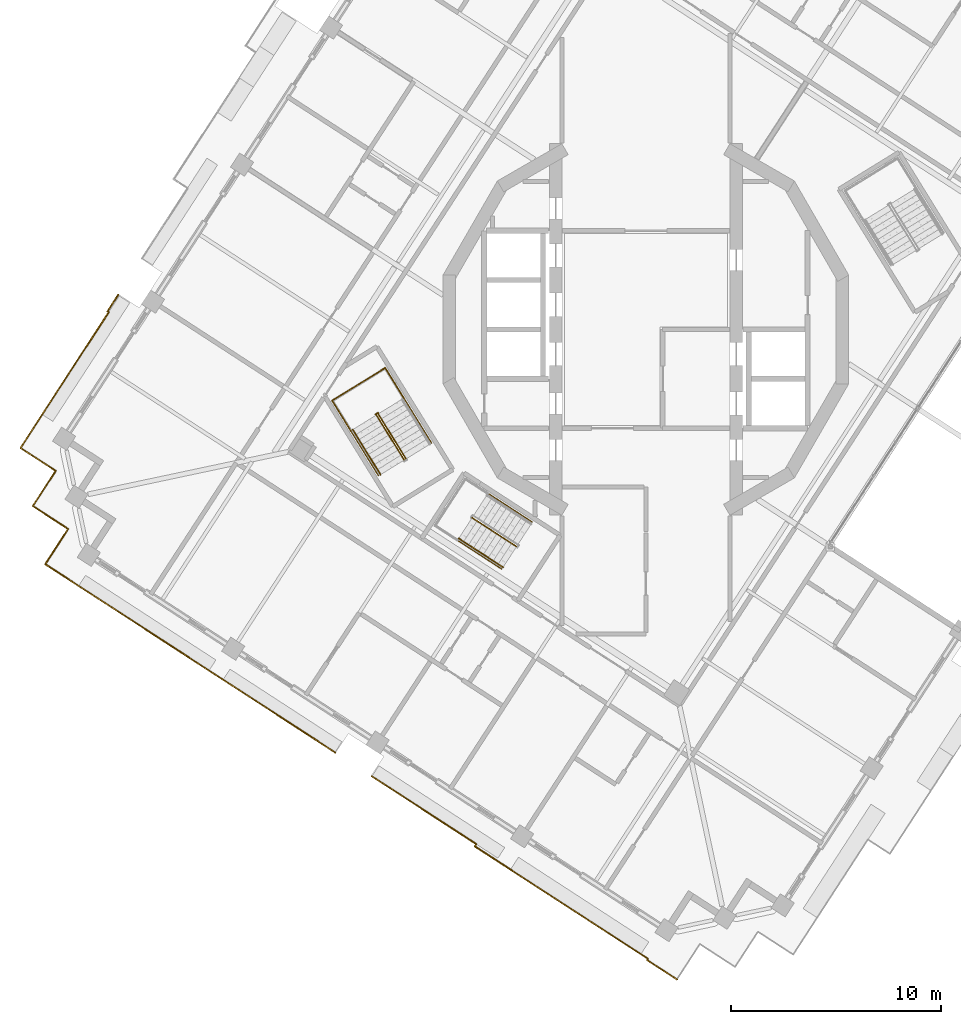
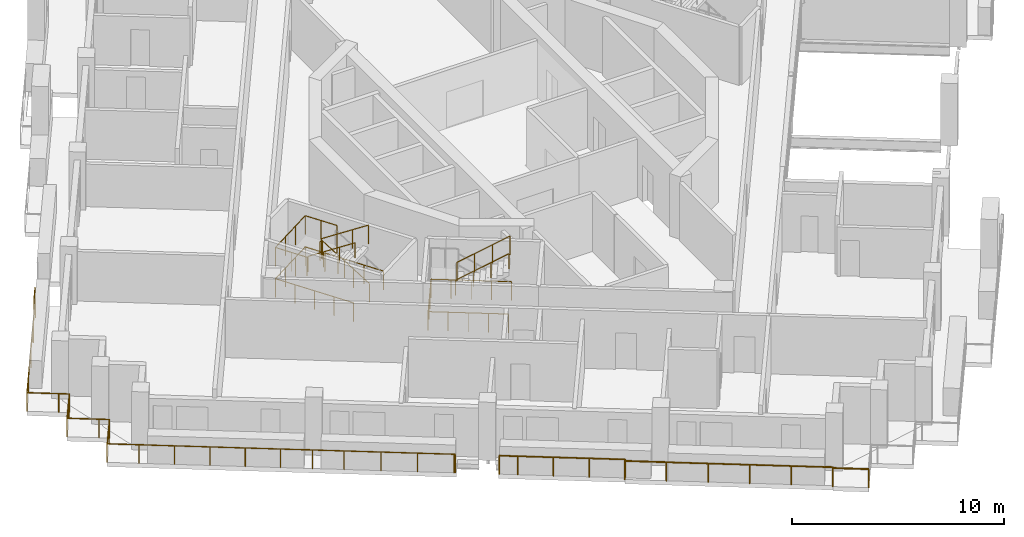
# One storey, part 13 of 17: 11 railings.
"""IFC4 building model written with IfcOpenShell, lengths in metres."""

import ifcopenshell
import ifcopenshell.guid

model = None  # the IFC model being written
_history = None  # IfcOwnerHistory: only IFC2X3 demands one
_inside = {}  # id of a spatial element -> (the spatial element, [elements in it])
_under = {}  # id of a project, library or spatial element -> (it, [spatial elements below it])
_declared = {}  # id of a project -> (the project, [libraries it declares])
_typed = {}  # id of a type object -> (the type object, [elements of that type])
_made_of = {}  # id of a material, layer set ... -> (it, [elements and type objects made of it])


def new_model(schema):
    """Start an empty IFC model of exactly this schema.

    Asked for "IFC4X3", IfcOpenShell would pick the latest addendum, in which some entities
    have other attributes; the version numbers below select the first issue.
    IFC2X3 requires an IfcOwnerHistory on every rooted entity: one is made here for all.
    """
    global model, _history
    if schema == "IFC4X3":
        model = ifcopenshell.file(schema_version=(4, 3, 0, 0))
    else:
        model = ifcopenshell.file(schema=schema)
    _inside.clear()
    _under.clear()
    _declared.clear()
    _typed.clear()
    _made_of.clear()
    _history = None
    if model.schema == "IFC2X3":
        org = make("IfcOrganization", Name="unknown")
        user = make(
            "IfcPersonAndOrganization",
            ThePerson=make("IfcPerson", FamilyName="unknown"),
            TheOrganization=org,
        )
        app = make(
            "IfcApplication",
            ApplicationDeveloper=org,
            Version="unknown",
            ApplicationFullName="unknown",
            ApplicationIdentifier="unknown",
        )
        _history = make(
            "IfcOwnerHistory",
            OwningUser=user,
            OwningApplication=app,
            ChangeAction="ADDED",
            CreationDate=0,
        )
    return model


def make(cls, **values):
    """One entity of the class cls with the attributes given. An attribute that is None is left unset."""
    return model.create_entity(
        cls, **{name: value for name, value in values.items() if value is not None}
    )


def rooted(cls, **values):
    """An entity with a GlobalId (a new one), such as an element, a storey or a relation."""
    return make(cls, GlobalId=ifcopenshell.guid.new(), OwnerHistory=_history, **values)


def si_unit(unit_type, name, prefix=None):
    """IfcSIUnit, for example si_unit("LENGTHUNIT", "METRE", prefix="MILLI")."""
    return make("IfcSIUnit", UnitType=unit_type, Prefix=prefix, Name=name)


def assignment(units):
    """IfcUnitAssignment: the units of a project."""
    return None if units is None else make("IfcUnitAssignment", Units=units)


def point(xyz):
    """IfcCartesianPoint."""
    return None if xyz is None else make("IfcCartesianPoint", Coordinates=xyz)


def direction(xyz):
    """IfcDirection."""
    return None if xyz is None else make("IfcDirection", DirectionRatios=xyz)


def frame(location, z_axis=None, x_axis=None):
    """IfcAxis2Placement3D, a coordinate frame: its origin and axes. An axis left out is left unset."""
    return make(
        "IfcAxis2Placement3D",
        Location=point(location),
        Axis=direction(z_axis),
        RefDirection=direction(x_axis),
    )


def frame_2d(location, x_axis=None):
    """IfcAxis2Placement2D, a coordinate frame in the plane: its origin and x axis."""
    return make(
        "IfcAxis2Placement2D", Location=point(location), RefDirection=direction(x_axis)
    )


def origin():
    """The frame at (0, 0, 0) with its axes left unset."""
    return frame((0.0, 0.0, 0.0))


def origin_2d():
    """The frame at (0, 0) in the plane with its x axis left unset."""
    return frame_2d((0.0, 0.0))


def place(relative_to, where):
    """IfcLocalPlacement: puts the frame where relative to a parent placement (None: the world)."""
    return make(
        "IfcLocalPlacement", PlacementRelTo=relative_to, RelativePlacement=where
    )


def context(
    kind, dimensions, precision=None, world=None, true_north=None, identifier=None
):
    """IfcGeometricRepresentationContext, for example the 3D "Model" context."""
    return make(
        "IfcGeometricRepresentationContext",
        ContextIdentifier=identifier,
        ContextType=kind,
        CoordinateSpaceDimension=dimensions,
        Precision=precision,
        WorldCoordinateSystem=world,
        TrueNorth=true_north,
    )


def subcontext(parent, identifier, kind, view, scale=None):
    """IfcGeometricRepresentationSubContext, for example "Body" below "Model"."""
    return make(
        "IfcGeometricRepresentationSubContext",
        ContextIdentifier=identifier,
        ContextType=kind,
        ParentContext=parent,
        TargetScale=scale,
        TargetView=view,
    )


def project(units=None, contexts=None):
    """IfcProject with its units and contexts."""
    return rooted(
        "IfcProject",
        Name="project",
        RepresentationContexts=contexts,
        UnitsInContext=assignment(units),
    )


def spatial(cls, under=None, at=None, **own):
    """A site, building, storey or space (cls), placed at a placement, below another one or the project."""
    s = rooted(cls, ObjectPlacement=at, **own)
    if under is not None:
        _under.setdefault(under.id(), (under, []))[1].append(s)
    return s


def profile(cls, at=None, kind="AREA", **sizes):
    """A parametric profile (cls). Its sizes go by their IFC names, for example OverallWidth=200.0."""
    return make(cls, ProfileType=kind, Position=at, **sizes)


def circle(**sizes):
    """IfcCircleProfileDef."""
    return profile("IfcCircleProfileDef", **sizes)


def extrude(swept, where, along, depth):
    """IfcExtrudedAreaSolid: the profile swept, set in the frame where, extruded along a direction by depth."""
    return make(
        "IfcExtrudedAreaSolid",
        SweptArea=swept,
        Position=where,
        ExtrudedDirection=direction(along),
        Depth=depth,
    )


def shape(context_of_items, identifier, shape_type, items):
    """IfcShapeRepresentation: the items that make up one representation, for example the "Body"."""
    return make(
        "IfcShapeRepresentation",
        ContextOfItems=context_of_items,
        RepresentationIdentifier=identifier,
        RepresentationType=shape_type,
        Items=items,
    )


def material(Name=None, Category=None):
    """IfcMaterial."""
    return make("IfcMaterial", Name=Name, Category=Category)


def made_of(thing, what):
    """Note that an element or type object is made of a material, layer set ...; save() writes the relation."""
    if what is not None:
        _made_of.setdefault(what.id(), (what, []))[1].append(thing)
    return thing


def type_object(cls, material=None, **own):
    """A type object (cls), such as IfcWallType, which elements share."""
    return made_of(rooted(cls, **own), material)


def element(
    cls,
    number,
    at=None,
    inside=None,
    cuts=None,
    type_object=None,
    material=None,
    context=None,
    identifier="Body",
    shape_type=None,
    held_by="IfcProductDefinitionShape",
    body=None,
    shapes=None,
    **own,
):
    """One element of the class cls, such as IfcWall. Its Tag is "e" and its number.

    at: its placement. inside: the storey or other place that contains it. cuts: it is an
    opening in that element (IfcRelVoidsElement). A single representation is given by context,
    identifier, shape_type and body (its items); several are given by shapes. held_by: the class
    of the entity that holds the representations. save() writes the other relations.
    """
    e = rooted(cls, Tag="e%d" % number, ObjectPlacement=at, **own)
    if body is not None:
        shapes = [shape(context, identifier, shape_type, body)]
    if shapes is not None:
        e.Representation = make(held_by, Representations=shapes)
    if inside is not None:
        _inside.setdefault(inside.id(), (inside, []))[1].append(e)
    if cuts is not None:
        rooted(
            "IfcRelVoidsElement", RelatingBuildingElement=cuts, RelatedOpeningElement=e
        )
    if type_object is not None:
        _typed.setdefault(type_object.id(), (type_object, []))[1].append(e)
    return made_of(e, material)


def aggregate(whole, parts):
    """IfcRelAggregates: a whole, such as a stair, and the parts it consists of."""
    return rooted("IfcRelAggregates", RelatingObject=whole, RelatedObjects=parts)


def save(model, path):
    """Write the relations noted so far, then the file.

    IfcRelAggregates (storeys below a building ...), IfcRelContainedInSpatialStructure (elements
    in a storey), IfcRelDefinesByType, IfcRelAssociatesMaterial and IfcRelDeclares: one each for
    every whole, place, type object, material and project.
    """
    for whole, parts in _under.values():
        aggregate(whole, parts)
    for where, things in _inside.values():
        rooted(
            "IfcRelContainedInSpatialStructure",
            RelatedElements=things,
            RelatingStructure=where,
        )
    for kind, things in _typed.values():
        rooted("IfcRelDefinesByType", RelatedObjects=things, RelatingType=kind)
    for what, things in _made_of.values():
        rooted("IfcRelAssociatesMaterial", RelatedObjects=things, RelatingMaterial=what)
    for by, libraries in _declared.values():
        rooted("IfcRelDeclares", RelatingContext=by, RelatedDefinitions=libraries)
    model.write(path)


model = new_model("IFC4")

# Units and contexts
model_context = context("Model", 3, precision=1e-05, world=origin(), true_north=direction((0.0, 1.0)))
body_context = subcontext(model_context, "Body", "Model", "MODEL_VIEW")
ifc_project = project(units=[si_unit("LENGTHUNIT", "METRE"), si_unit("AREAUNIT", "SQUARE_METRE"), si_unit("VOLUMEUNIT", "CUBIC_METRE"), si_unit("PLANEANGLEUNIT", "RADIAN"), si_unit("MASSUNIT", "GRAM", prefix="KILO")], contexts=[model_context])

# Site, building, storey
site_placement = place(None, origin())
site = spatial("IfcSite", under=ifc_project, at=site_placement, CompositionType="ELEMENT")
building_placement = place(site_placement, origin())
building = spatial("IfcBuilding", under=site, at=building_placement, Name="Cantera Rosa Tower", CompositionType="ELEMENT")
storey_placement = place(building_placement, frame((0.0, 0.0, 264.89990234375)))
storey = spatial("IfcBuildingStorey", under=building, at=storey_placement, Name="L59", CompositionType="ELEMENT", Elevation=264.89990234375)

# Railings
ifc_material_1 = material(Name="Stainless steel and laminated glass", Category="steel")
railing_type_1 = type_object("IfcRailingType", Name="GUARD 1100", PredefinedType="BALUSTRADE", material=ifc_material_1)
railing_1_placement = place(storey_placement, frame((-28.3720703125, -7.151123046875, 0.0)))
element("IfcRailing", 1, at=railing_1_placement, inside=storey, type_object=railing_type_1, Name="GUARD L59-1", PredefinedType="BALUSTRADE", context=body_context, shape_type="SweptSolid", body=[
    extrude(circle(Radius=0.030029296875, at=origin_2d()), frame((0.0, 0.0, 1.070068359375), z_axis=(0.544627753175, 0.83867789435, 0.0), x_axis=(-0.83867789435, 0.544627753175, 0.0)), (0.0, 0.0, 1.0), 0.499755859375),
    extrude(circle(Radius=0.030029296875, at=origin_2d()), frame((0.272216796875, 0.419189453125, 1.070068359375), z_axis=(-0.838454772945, 0.544971186143, 0.0), x_axis=(-0.544971186143, -0.838454772945, 0.0)), (0.0, 0.0, 1.0), 0.5),
    extrude(circle(Radius=0.030029296875, at=origin_2d()), frame((-0.14697265625, 0.691650390625, 1.070068359375), z_axis=(-0.8387001057, 0.544593548161, 0.0), x_axis=(-0.544593548161, -0.8387001057, 0.0)), (0.0, 0.0, 1.0), 1.5),
    extrude(circle(Radius=0.030029296875, at=origin_2d()), frame((-1.405029296875, 1.508544921875, 1.070068359375), z_axis=(0.544593548161, 0.8387001057, 0.0), x_axis=(-0.8387001057, 0.544593548161, 0.0)), (0.0, 0.0, 1.0), 1.5),
    extrude(circle(Radius=0.030029296875, at=origin_2d()), frame((-0.588134765625, 2.7666015625, 1.070068359375), z_axis=(0.544651062083, 0.838662757354, 0.0), x_axis=(-0.838662757354, 0.544651062083, 0.0)), (0.0, 0.0, 1.0), 6.208740234375),
    extrude(circle(Radius=0.030029296875, at=origin_2d()), frame((2.79345703125, 7.9736328125, 1.070068359375), z_axis=(-0.839844835389, 0.542826539947, 0.0), x_axis=(-0.542826539947, -0.839844835389, 0.0)), (0.0, 0.0, 1.0), 0.071533203125),
    extrude(circle(Radius=0.030029296875, at=origin_2d()), frame((2.7333984375, 8.012451171875, 1.070068359375), z_axis=(0.544605442853, 0.838692381994, 0.0), x_axis=(-0.838692381994, 0.544605442853, 0.0)), (0.0, 0.0, 1.0), 0.94140625),
    extrude(circle(Radius=0.02490234375, at=origin_2d()), origin(), (0.0, 0.0, 1.0), 1.0400390625),
    extrude(circle(Radius=0.02490234375, at=origin_2d()), frame((0.272216796875, 0.419189453125, 0.0)), (0.0, 0.0, 1.0), 1.0400390625),
    extrude(circle(Radius=0.02490234375, at=origin_2d()), frame((-0.14697265625, 0.691650390625, 0.0)), (0.0, 0.0, 1.0), 1.0400390625),
    extrude(circle(Radius=0.02490234375, at=origin_2d()), frame((-1.405029296875, 1.508544921875, 0.0)), (0.0, 0.0, 1.0), 1.0400390625),
    extrude(circle(Radius=0.02490234375, at=origin_2d()), frame((-0.588134765625, 2.7666015625, 0.0)), (0.0, 0.0, 1.0), 1.0400390625),
    extrude(circle(Radius=0.02490234375, at=origin_2d()), frame((0.5390625, 4.502197265625, 0.0)), (0.0, 0.0, 1.0), 1.0400390625),
    extrude(circle(Radius=0.02490234375, at=origin_2d()), frame((1.666259765625, 6.238037109375, 0.0)), (0.0, 0.0, 1.0), 1.0400390625),
    extrude(circle(Radius=0.02490234375, at=origin_2d()), frame((2.79345703125, 7.9736328125, 0.0)), (0.0, 0.0, 1.0), 1.0400390625),
    extrude(circle(Radius=0.02490234375, at=origin_2d()), frame((2.7333984375, 8.012451171875, 0.0)), (0.0, 0.0, 1.0), 1.0400390625),
    extrude(circle(Radius=0.02490234375, at=origin_2d()), frame((3.24609375, 8.802001953125, 0.0)), (0.0, 0.0, 1.0), 1.0400390625),
])
railing_2_placement = place(storey_placement, frame((-14.7880859375, -20.14599609375, 0.0)))
element("IfcRailing", 2, at=railing_2_placement, inside=storey, type_object=railing_type_1, Name="GUARD L59-2", PredefinedType="BALUSTRADE", context=body_context, shape_type="SweptSolid", body=[
    extrude(circle(Radius=0.030029296875, at=origin_2d()), frame((0.0, 0.0, 1.070068359375), z_axis=(-0.838443616301, 0.544988350595, 0.0), x_axis=(-0.544988350595, -0.838443616301, 0.0)), (0.0, 0.0, 1.0), 0.06982421875),
    extrude(circle(Radius=0.030029296875, at=origin_2d()), frame((-0.05859375, 0.0380859375, 1.070068359375), z_axis=(-0.838657010828, 0.544659910576, 0.0), x_axis=(-0.544659910576, -0.838657010828, 0.0)), (0.0, 0.0, 1.0), 5.2001953125),
    extrude(circle(Radius=0.030029296875, at=origin_2d()), frame((-4.419677734375, 2.870361328125, 1.070068359375), z_axis=(-0.8387001057, 0.544593548161, 0.0), x_axis=(-0.544593548161, -0.8387001057, 0.0)), (0.0, 0.0, 1.0), 3.0),
    extrude(circle(Radius=0.030029296875, at=origin_2d()), frame((-6.935791015625, 4.504150390625, 1.070068359375), z_axis=(-0.838666659313, 0.544645053734, 0.0), x_axis=(-0.544645053734, -0.838666659313, 0.0)), (0.0, 0.0, 1.0), 6.7001953125),
    extrude(circle(Radius=0.030029296875, at=origin_2d()), frame((-12.554931640625, 8.1533203125, 1.070068359375), z_axis=(-0.838651824232, 0.544667896716, 0.0), x_axis=(-0.544667896716, -0.838651824232, 0.0)), (0.0, 0.0, 1.0), 1.499755859375),
    extrude(circle(Radius=0.030029296875, at=origin_2d()), frame((-13.812744140625, 8.97021484375, 1.070068359375), z_axis=(0.544593548161, 0.8387001057, 0.0), x_axis=(-0.8387001057, 0.544593548161, 0.0)), (0.0, 0.0, 1.0), 1.5),
    extrude(circle(Radius=0.030029296875, at=origin_2d()), frame((-12.995849609375, 10.228271484375, 1.070068359375), z_axis=(0.544627753175, 0.83867789435, 0.0), x_axis=(-0.83867789435, 0.544627753175, 0.0)), (0.0, 0.0, 1.0), 0.499755859375),
    extrude(circle(Radius=0.030029296875, at=origin_2d()), frame((-12.7236328125, 10.6474609375, 1.070068359375), z_axis=(-0.838454772945, 0.544971186143, 0.0), x_axis=(-0.544971186143, -0.838454772945, 0.0)), (0.0, 0.0, 1.0), 0.5),
    extrude(circle(Radius=0.030029296875, at=origin_2d()), frame((-13.142822265625, 10.919921875, 1.070068359375), z_axis=(-0.8387001057, 0.544593548161, 0.0), x_axis=(-0.544593548161, -0.8387001057, 0.0)), (0.0, 0.0, 1.0), 1.5),
    extrude(circle(Radius=0.030029296875, at=origin_2d()), frame((-14.40087890625, 11.73681640625, 1.070068359375), z_axis=(0.544593548161, 0.8387001057, 0.0), x_axis=(-0.8387001057, 0.544593548161, 0.0)), (0.0, 0.0, 1.0), 1.5),
    extrude(circle(Radius=0.02490234375, at=origin_2d()), origin(), (0.0, 0.0, 1.0), 1.0400390625),
    extrude(circle(Radius=0.02490234375, at=origin_2d()), frame((-0.05859375, 0.0380859375, 0.0)), (0.0, 0.0, 1.0), 1.0400390625),
    extrude(circle(Radius=0.02490234375, at=origin_2d()), frame((-1.51220703125, 0.982177734375, 0.0)), (0.0, 0.0, 1.0), 1.0400390625),
    extrude(circle(Radius=0.02490234375, at=origin_2d()), frame((-2.966064453125, 1.92626953125, 0.0)), (0.0, 0.0, 1.0), 1.0400390625),
    extrude(circle(Radius=0.02490234375, at=origin_2d()), frame((-4.419677734375, 2.870361328125, 0.0)), (0.0, 0.0, 1.0), 1.0400390625),
    extrude(circle(Radius=0.02490234375, at=origin_2d()), frame((-5.677734375, 3.687255859375, 0.0)), (0.0, 0.0, 1.0), 1.0400390625),
    extrude(circle(Radius=0.02490234375, at=origin_2d()), frame((-6.935791015625, 4.504150390625, 0.0)), (0.0, 0.0, 1.0), 1.0400390625),
    extrude(circle(Radius=0.02490234375, at=origin_2d()), frame((-8.340576171875, 5.41650390625, 0.0)), (0.0, 0.0, 1.0), 1.0400390625),
    extrude(circle(Radius=0.02490234375, at=origin_2d()), frame((-9.745361328125, 6.32861328125, 0.0)), (0.0, 0.0, 1.0), 1.0400390625),
    extrude(circle(Radius=0.02490234375, at=origin_2d()), frame((-11.150146484375, 7.240966796875, 0.0)), (0.0, 0.0, 1.0), 1.0400390625),
    extrude(circle(Radius=0.02490234375, at=origin_2d()), frame((-12.554931640625, 8.1533203125, 0.0)), (0.0, 0.0, 1.0), 1.0400390625),
    extrude(circle(Radius=0.02490234375, at=origin_2d()), frame((-13.812744140625, 8.97021484375, 0.0)), (0.0, 0.0, 1.0), 1.0400390625),
    extrude(circle(Radius=0.02490234375, at=origin_2d()), frame((-12.995849609375, 10.228271484375, 0.0)), (0.0, 0.0, 1.0), 1.0400390625),
    extrude(circle(Radius=0.02490234375, at=origin_2d()), frame((-12.7236328125, 10.6474609375, 0.0)), (0.0, 0.0, 1.0), 1.0400390625),
    extrude(circle(Radius=0.02490234375, at=origin_2d()), frame((-13.142822265625, 10.919921875, 0.0)), (0.0, 0.0, 1.0), 1.0400390625),
    extrude(circle(Radius=0.02490234375, at=origin_2d()), frame((-14.40087890625, 11.73681640625, 0.0)), (0.0, 0.0, 1.0), 1.0400390625),
    extrude(circle(Radius=0.02490234375, at=origin_2d()), frame((-13.583984375, 12.994873046875, 0.0)), (0.0, 0.0, 1.0), 1.0400390625),
])
railing_3_placement = place(storey_placement, frame((1.482177734375, -30.950439453125, 0.0)))
element("IfcRailing", 3, at=railing_3_placement, inside=storey, type_object=railing_type_1, Name="GUARD L59-5", PredefinedType="BALUSTRADE", context=body_context, shape_type="SweptSolid", body=[
    extrude(circle(Radius=0.030029296875, at=origin_2d()), frame((0.0, 0.0, 1.070068359375), z_axis=(-0.838663412569, 0.54465005317, 0.0), x_axis=(-0.54465005317, -0.838663412569, 0.0)), (0.0, 0.0, 1.0), 1.69970703125),
    extrude(circle(Radius=0.030029296875, at=origin_2d()), frame((-1.425537109375, 0.92578125, 1.070068359375), z_axis=(0.54339569987, 0.839476690184, 0.0), x_axis=(-0.839476690184, 0.54339569987, 0.0)), (0.0, 0.0, 1.0), 0.070068359375),
    extrude(circle(Radius=0.030029296875, at=origin_2d()), frame((-1.387451171875, 0.984619140625, 1.070068359375), z_axis=(-0.838672787013, 0.544635617935, 0.0), x_axis=(-0.544635617935, -0.838672787013, 0.0)), (0.0, 0.0, 1.0), 9.830078125),
    extrude(circle(Radius=0.030029296875, at=origin_2d()), frame((-9.631591796875, 6.33837890625, 1.070068359375), z_axis=(0.545120486239, 0.83835771332, 0.0), x_axis=(-0.83835771332, 0.545120486239, 0.0)), (0.0, 0.0, 1.0), 0.1298828125),
    extrude(circle(Radius=0.030029296875, at=origin_2d()), frame((-9.560791015625, 6.447265625, 1.070068359375), z_axis=(-0.838664674471, 0.544648110062, 0.0), x_axis=(-0.544648110062, -0.838664674471, 0.0)), (0.0, 0.0, 1.0), 5.0703125),
    extrude(circle(Radius=0.030029296875, at=origin_2d()), frame((-13.81298828125, 9.208740234375, 1.070068359375), z_axis=(-0.838725681888, 0.544554157584, 0.0), x_axis=(-0.544554157584, -0.838725681888, 0.0)), (0.0, 0.0, 1.0), 0.869873046875),
    extrude(circle(Radius=0.02490234375, at=origin_2d()), origin(), (0.0, 0.0, 1.0), 1.0400390625),
    extrude(circle(Radius=0.02490234375, at=origin_2d()), frame((-1.425537109375, 0.92578125, 0.0)), (0.0, 0.0, 1.0), 1.0400390625),
    extrude(circle(Radius=0.02490234375, at=origin_2d()), frame((-1.387451171875, 0.984619140625, 0.0)), (0.0, 0.0, 1.0), 1.0400390625),
    extrude(circle(Radius=0.02490234375, at=origin_2d()), frame((-3.036376953125, 2.055419921875, 0.0)), (0.0, 0.0, 1.0), 1.0400390625),
    extrude(circle(Radius=0.02490234375, at=origin_2d()), frame((-4.68505859375, 3.126220703125, 0.0)), (0.0, 0.0, 1.0), 1.0400390625),
    extrude(circle(Radius=0.02490234375, at=origin_2d()), frame((-6.333984375, 4.19677734375, 0.0)), (0.0, 0.0, 1.0), 1.0400390625),
    extrude(circle(Radius=0.02490234375, at=origin_2d()), frame((-7.982666015625, 5.267578125, 0.0)), (0.0, 0.0, 1.0), 1.0400390625),
    extrude(circle(Radius=0.02490234375, at=origin_2d()), frame((-9.631591796875, 6.33837890625, 0.0)), (0.0, 0.0, 1.0), 1.0400390625),
    extrude(circle(Radius=0.02490234375, at=origin_2d()), frame((-9.560791015625, 6.447265625, 0.0)), (0.0, 0.0, 1.0), 1.0400390625),
    extrude(circle(Radius=0.02490234375, at=origin_2d()), frame((-10.978271484375, 7.36767578125, 0.0)), (0.0, 0.0, 1.0), 1.0400390625),
    extrude(circle(Radius=0.02490234375, at=origin_2d()), frame((-12.3955078125, 8.288330078125, 0.0)), (0.0, 0.0, 1.0), 1.0400390625),
    extrude(circle(Radius=0.02490234375, at=origin_2d()), frame((-13.81298828125, 9.208740234375, 0.0)), (0.0, 0.0, 1.0), 1.0400390625),
    extrude(circle(Radius=0.02490234375, at=origin_2d()), frame((-14.54248046875, 9.682373046875, 0.0)), (0.0, 0.0, 1.0), 1.0400390625),
])
ifc_material_2 = material(Name="Steel S355J2 (EN 10025-2)", Category="steel")
railing_type_2 = type_object("IfcRailingType", Name="STAIR GUARD 1100", PredefinedType="GUARDRAIL", material=ifc_material_2)
railing_4_placement = place(storey_placement, frame((-11.42333984375, -6.165771484375, 0.18017578125)))
element("IfcRailing", 4, at=railing_4_placement, inside=storey, type_object=railing_type_2, Name="L59 ST-52 stair guard 1", PredefinedType="GUARDRAIL", context=body_context, shape_type="SweptSolid", body=[
    extrude(circle(Radius=0.02392578125, at=origin_2d()), frame((0.0, 0.0, 1.076171875), z_axis=(-0.441628529057, 0.715945124149, 0.540728047664), x_axis=(-0.851102330005, -0.524999832248, 0.0)), (0.0, 0.0, 1.0), 2.99560546875),
    extrude(circle(Radius=0.02392578125, at=origin_2d()), frame((-1.322998046875, 2.144775390625, 2.69580078125), z_axis=(-0.073711968402, 0.997279572494, 0.0), x_axis=(-0.997279572494, -0.073711968402, 0.0)), (0.0, 0.0, 1.0), 0.056396484375),
    extrude(circle(Radius=0.02392578125, at=origin_2d()), frame((-1.3271484375, 2.200927734375, 2.69580078125), z_axis=(-0.851546489876, -0.524279100842, 0.0), x_axis=(0.524279100842, -0.851546489876, 0.0)), (0.0, 0.0, 1.0), 0.14990234375),
    extrude(circle(Radius=0.02099609375, at=origin_2d()), origin(), (0.0, 0.0, 1.0), 1.052001953125),
    extrude(circle(Radius=0.02099609375, at=origin_2d()), frame((-0.44091796875, 0.71484375, 0.5400390625)), (0.0, 0.0, 1.0), 1.052001953125),
    extrude(circle(Radius=0.02099609375, at=origin_2d()), frame((-0.882080078125, 1.429931640625, 1.079833984375)), (0.0, 0.0, 1.0), 1.052001953125),
    extrude(circle(Radius=0.02099609375, at=origin_2d()), frame((-1.322998046875, 2.144775390625, 1.619873046875)), (0.0, 0.0, 1.0), 1.052001953125),
    extrude(circle(Radius=0.02099609375, at=origin_2d()), frame((-1.3271484375, 2.200927734375, 1.619873046875)), (0.0, 0.0, 1.0), 1.052001953125),
    extrude(circle(Radius=0.02099609375, at=origin_2d()), frame((-1.454833984375, 2.122314453125, 1.619873046875)), (0.0, 0.0, 1.0), 1.052001953125),
])
railing_5_placement = place(storey_placement, frame((-12.82958984375, -4.072509765625, 1.97998046875)))
element("IfcRailing", 5, at=railing_5_placement, inside=storey, type_object=railing_type_2, Name="L59 ST-52 stair guard 2", PredefinedType="GUARDRAIL", context=body_context, shape_type="SweptSolid", body=[
    extrude(circle(Radius=0.02392578125, at=origin_2d()), frame((0.0, 0.0, 1.076171875), z_axis=(0.44154346381, -0.715939337315, 0.540805172729), x_axis=(0.851145618652, 0.524929648476, 0.0)), (0.0, 0.0, 1.0), 2.995849609375),
    extrude(circle(Radius=0.02099609375, at=origin_2d()), origin(), (0.0, 0.0, 1.0), 1.052001953125),
    extrude(circle(Radius=0.02099609375, at=origin_2d()), frame((0.44091796875, -0.71484375, 0.5400390625)), (0.0, 0.0, 1.0), 1.052001953125),
    extrude(circle(Radius=0.02099609375, at=origin_2d()), frame((0.8818359375, -1.429931640625, 1.080078125)), (0.0, 0.0, 1.0), 1.052001953125),
    extrude(circle(Radius=0.02099609375, at=origin_2d()), frame((1.32275390625, -2.144775390625, 1.6201171875)), (0.0, 0.0, 1.0), 1.052001953125),
])
railing_6_placement = place(storey_placement, frame((-10.20751953125, -5.40185546875, 0.0)))
element("IfcRailing", 6, at=railing_6_placement, inside=storey, type_object=railing_type_2, Name="L59 ST-52 stair guard 4", PredefinedType="GUARDRAIL", context=body_context, shape_type="SweptSolid", body=[
    extrude(circle(Radius=0.02392578125, at=origin_2d()), frame((0.0, 0.0, 1.076171875), z_axis=(-0.524976478809, 0.851116735059, 0.0), x_axis=(-0.851116735059, -0.524976478809, 0.0)), (0.0, 0.0, 1.0), 4.197998046875),
    extrude(circle(Radius=0.02392578125, at=origin_2d()), frame((-2.203857421875, 3.572998046875, 1.076171875), z_axis=(-0.851132917336, -0.524950242429, 0.0), x_axis=(0.524950242429, -0.851132917336, 0.0)), (0.0, 0.0, 1.0), 2.969970703125),
    extrude(circle(Radius=0.02392578125, at=origin_2d()), frame((-4.731689453125, 2.013916015625, 1.076171875), z_axis=(0.524976478809, -0.851116735059, 0.0), x_axis=(0.851116735059, 0.524976478809, 0.0)), (0.0, 0.0, 1.0), 4.197998046875),
    extrude(circle(Radius=0.02099609375, at=origin_2d()), origin(), (0.0, 0.0, 1.0), 1.052001953125),
    extrude(circle(Radius=0.02099609375, at=origin_2d()), frame((-0.551025390625, 0.893310546875, 0.0)), (0.0, 0.0, 1.0), 1.052001953125),
    extrude(circle(Radius=0.02099609375, at=origin_2d()), frame((-1.10205078125, 1.78662109375, 0.0)), (0.0, 0.0, 1.0), 1.052001953125),
    extrude(circle(Radius=0.02099609375, at=origin_2d()), frame((-1.65283203125, 2.6796875, 0.0)), (0.0, 0.0, 1.0), 1.052001953125),
    extrude(circle(Radius=0.02099609375, at=origin_2d()), frame((-2.203857421875, 3.572998046875, 0.0)), (0.0, 0.0, 1.0), 1.052001953125),
    extrude(circle(Radius=0.02099609375, at=origin_2d()), frame((-3.04638671875, 3.05322265625, 0.0)), (0.0, 0.0, 1.0), 1.052001953125),
    extrude(circle(Radius=0.02099609375, at=origin_2d()), frame((-3.88916015625, 2.53369140625, 0.0)), (0.0, 0.0, 1.0), 1.052001953125),
    extrude(circle(Radius=0.02099609375, at=origin_2d()), frame((-4.731689453125, 2.013916015625, 0.0)), (0.0, 0.0, 1.0), 1.052001953125),
    extrude(circle(Radius=0.02099609375, at=origin_2d()), frame((-4.1806640625, 1.12060546875, 0.0)), (0.0, 0.0, 1.0), 1.052001953125),
    extrude(circle(Radius=0.02099609375, at=origin_2d()), frame((-3.6298828125, 0.2275390625, 0.0)), (0.0, 0.0, 1.0), 1.052001953125),
    extrude(circle(Radius=0.02099609375, at=origin_2d()), frame((-3.078857421875, -0.665771484375, 0.0)), (0.0, 0.0, 1.0), 1.052001953125),
    extrude(circle(Radius=0.02099609375, at=origin_2d()), frame((-2.52783203125, -1.55908203125, 0.0)), (0.0, 0.0, 1.0), 1.052001953125),
])
railing_7_placement = place(storey_placement, frame((-11.517822265625, -3.27734375, 1.800048828125)))
element("IfcRailing", 7, at=railing_7_placement, inside=storey, type_object=railing_type_2, Name="L59 ST-52 stair guard 5", PredefinedType="GUARDRAIL", context=body_context, shape_type="SweptSolid", body=[
    extrude(circle(Radius=0.02392578125, at=origin_2d()), frame((0.0, 0.0, 1.076171875), z_axis=(-0.525025534833, 0.851086474909, 0.0), x_axis=(-0.851086474909, -0.525025534833, 0.0)), (0.0, 0.0, 1.0), 1.701904296875),
    extrude(circle(Radius=0.02392578125, at=origin_2d()), frame((-0.8935546875, 1.448486328125, 1.076171875), z_axis=(-0.851132917336, -0.524950242429, 0.0), x_axis=(0.524950242429, -0.851132917336, 0.0)), (0.0, 0.0, 1.0), 2.969970703125),
    extrude(circle(Radius=0.02392578125, at=origin_2d()), frame((-3.42138671875, -0.110595703125, 1.076171875), z_axis=(0.524961441845, -0.851126009811, 0.0), x_axis=(0.851126009811, 0.524961441845, 0.0)), (0.0, 0.0, 1.0), 1.7021484375),
    extrude(circle(Radius=0.02099609375, at=origin_2d()), origin(), (0.0, 0.0, 1.0), 1.052001953125),
    extrude(circle(Radius=0.02099609375, at=origin_2d()), frame((-0.44677734375, 0.72412109375, 0.0)), (0.0, 0.0, 1.0), 1.052001953125),
    extrude(circle(Radius=0.02099609375, at=origin_2d()), frame((-0.8935546875, 1.448486328125, 0.0)), (0.0, 0.0, 1.0), 1.052001953125),
    extrude(circle(Radius=0.02099609375, at=origin_2d()), frame((-1.736083984375, 0.9287109375, 0.0)), (0.0, 0.0, 1.0), 1.052001953125),
    extrude(circle(Radius=0.02099609375, at=origin_2d()), frame((-2.578857421875, 0.4091796875, 0.0)), (0.0, 0.0, 1.0), 1.052001953125),
    extrude(circle(Radius=0.02099609375, at=origin_2d()), frame((-3.42138671875, -0.110595703125, 0.0)), (0.0, 0.0, 1.0), 1.052001953125),
    extrude(circle(Radius=0.02099609375, at=origin_2d()), frame((-2.974609375, -0.8349609375, 0.0)), (0.0, 0.0, 1.0), 1.052001953125),
    extrude(circle(Radius=0.02099609375, at=origin_2d()), frame((-2.52783203125, -1.559326171875, 0.0)), (0.0, 0.0, 1.0), 1.052001953125),
])
railing_8_placement = place(storey_placement, frame((-8.270751953125, -8.963134765625, 1.97998046875)))
element("IfcRailing", 8, at=railing_8_placement, inside=storey, type_object=railing_type_2, Name="L59 ST-53 stair guard 2", PredefinedType="GUARDRAIL", context=body_context, shape_type="SweptSolid", body=[
    extrude(circle(Radius=0.02392578125, at=origin_2d()), frame((0.0, 0.0, 1.076171875), z_axis=(0.705447416084, -0.4581007308, 0.540821286175), x_axis=(0.54462048956, 0.838682611213, 0.0)), (0.0, 0.0, 1.0), 2.99560546875),
    extrude(circle(Radius=0.02099609375, at=origin_2d()), origin(), (0.0, 0.0, 1.0), 1.052001953125),
    extrude(circle(Radius=0.02099609375, at=origin_2d()), frame((0.704345703125, -0.45751953125, 0.5400390625)), (0.0, 0.0, 1.0), 1.052001953125),
    extrude(circle(Radius=0.02099609375, at=origin_2d()), frame((1.408935546875, -0.914794921875, 1.080078125)), (0.0, 0.0, 1.0), 1.052001953125),
    extrude(circle(Radius=0.02099609375, at=origin_2d()), frame((2.11328125, -1.372314453125, 1.6201171875)), (0.0, 0.0, 1.0), 1.052001953125),
])
railing_9_placement = place(storey_placement, frame((-5.41357421875, -9.168212890625, 0.0)))
element("IfcRailing", 9, at=railing_9_placement, inside=storey, type_object=railing_type_2, Name="L59 ST-53 stair guard 4", PredefinedType="GUARDRAIL", context=body_context, shape_type="SweptSolid", body=[
    extrude(circle(Radius=0.02392578125, at=origin_2d()), frame((0.0, 0.0, 1.076171875), z_axis=(-0.838665308336, 0.544647134018, 0.0), x_axis=(-0.544647134018, -0.838665308336, 0.0)), (0.0, 0.0, 1.0), 3.798095703125),
    extrude(circle(Radius=0.02392578125, at=origin_2d()), frame((-3.185302734375, 2.068603515625, 1.076171875), z_axis=(-0.544679779991, -0.838644106442, 0.0), x_axis=(0.838644106442, -0.544679779991, 0.0)), (0.0, 0.0, 1.0), 2.670166015625),
    extrude(circle(Radius=0.02392578125, at=origin_2d()), frame((-4.6396484375, -0.170654296875, 1.076171875), z_axis=(0.838665308336, -0.544647134018, 0.0), x_axis=(0.544647134018, 0.838665308336, 0.0)), (0.0, 0.0, 1.0), 3.798095703125),
    extrude(circle(Radius=0.02099609375, at=origin_2d()), origin(), (0.0, 0.0, 1.0), 1.052001953125),
    extrude(circle(Radius=0.02099609375, at=origin_2d()), frame((-0.79638671875, 0.51708984375, 0.0)), (0.0, 0.0, 1.0), 1.052001953125),
    extrude(circle(Radius=0.02099609375, at=origin_2d()), frame((-1.5927734375, 1.0341796875, 0.0)), (0.0, 0.0, 1.0), 1.052001953125),
    extrude(circle(Radius=0.02099609375, at=origin_2d()), frame((-2.388916015625, 1.551513671875, 0.0)), (0.0, 0.0, 1.0), 1.052001953125),
    extrude(circle(Radius=0.02099609375, at=origin_2d()), frame((-3.185302734375, 2.068603515625, 0.0)), (0.0, 0.0, 1.0), 1.052001953125),
    extrude(circle(Radius=0.02099609375, at=origin_2d()), frame((-3.670166015625, 1.322265625, 0.0)), (0.0, 0.0, 1.0), 1.052001953125),
    extrude(circle(Radius=0.02099609375, at=origin_2d()), frame((-4.15478515625, 0.57568359375, 0.0)), (0.0, 0.0, 1.0), 1.052001953125),
    extrude(circle(Radius=0.02099609375, at=origin_2d()), frame((-4.6396484375, -0.170654296875, 0.0)), (0.0, 0.0, 1.0), 1.052001953125),
    extrude(circle(Radius=0.02099609375, at=origin_2d()), frame((-3.84326171875, -0.687744140625, 0.0)), (0.0, 0.0, 1.0), 1.052001953125),
    extrude(circle(Radius=0.02099609375, at=origin_2d()), frame((-3.046875, -1.205078125, 0.0)), (0.0, 0.0, 1.0), 1.052001953125),
    extrude(circle(Radius=0.02099609375, at=origin_2d()), frame((-2.250732421875, -1.72216796875, 0.0)), (0.0, 0.0, 1.0), 1.052001953125),
    extrude(circle(Radius=0.02099609375, at=origin_2d()), frame((-1.454345703125, -2.2392578125, 0.0)), (0.0, 0.0, 1.0), 1.052001953125),
])
ifc_material_3 = material(Name="Steel S355J2 (EN 10025-2)", Category="steel")
railing_type_3 = type_object("IfcRailingType", Name="STAIR HANDRAIL 900", PredefinedType="HANDRAIL", material=ifc_material_3)
railing_10_placement = place(storey_placement, frame((-13.958251953125, -4.7685546875, 1.97998046875)))
element("IfcRailing", 10, at=railing_10_placement, inside=storey, type_object=railing_type_3, Name="L59 ST-52 stair handrail 2", PredefinedType="HANDRAIL", context=body_context, shape_type="SweptSolid", body=[
    extrude(circle(Radius=0.02392578125, at=origin_2d()), frame((0.0, 0.0, 0.8759765625), z_axis=(0.441609067481, -0.715913574058, 0.540785711718), x_axis=(0.851102330005, 0.524999832248, 0.0)), (0.0, 0.0, 1.0), 2.995849609375),
    extrude(circle(Radius=0.02099609375, at=origin_2d()), origin(), (0.0, 0.0, 1.0), 0.851806640625),
    extrude(circle(Radius=0.02099609375, at=origin_2d()), frame((0.44091796875, -0.71484375, 0.5400390625)), (0.0, 0.0, 1.0), 0.851806640625),
    extrude(circle(Radius=0.02099609375, at=origin_2d()), frame((0.882080078125, -1.429931640625, 1.080078125)), (0.0, 0.0, 1.0), 0.851806640625),
    extrude(circle(Radius=0.02099609375, at=origin_2d()), frame((1.322998046875, -2.144775390625, 1.6201171875)), (0.0, 0.0, 1.0), 0.851806640625),
])
railing_11_placement = place(storey_placement, frame((-8.911376953125, -9.94921875, 1.97998046875)))
element("IfcRailing", 11, at=railing_11_placement, inside=storey, type_object=railing_type_3, Name="L59 ST-53 stair handrail 2", PredefinedType="HANDRAIL", context=body_context, shape_type="SweptSolid", body=[
    extrude(circle(Radius=0.02392578125, at=origin_2d()), frame((0.0, 0.0, 0.8759765625), z_axis=(0.705462015847, -0.458138784, 0.540770005448), x_axis=(0.544644381691, 0.838667095749, 0.0)), (0.0, 0.0, 1.0), 2.995849609375),
    extrude(circle(Radius=0.02099609375, at=origin_2d()), origin(), (0.0, 0.0, 1.0), 0.851806640625),
    extrude(circle(Radius=0.02099609375, at=origin_2d()), frame((0.70458984375, -0.45751953125, 0.5400390625)), (0.0, 0.0, 1.0), 0.851806640625),
    extrude(circle(Radius=0.02099609375, at=origin_2d()), frame((1.408935546875, -0.9150390625, 1.080078125)), (0.0, 0.0, 1.0), 0.851806640625),
    extrude(circle(Radius=0.02099609375, at=origin_2d()), frame((2.113525390625, -1.37255859375, 1.6201171875)), (0.0, 0.0, 1.0), 0.851806640625),
])

save(model, "model.ifc")
